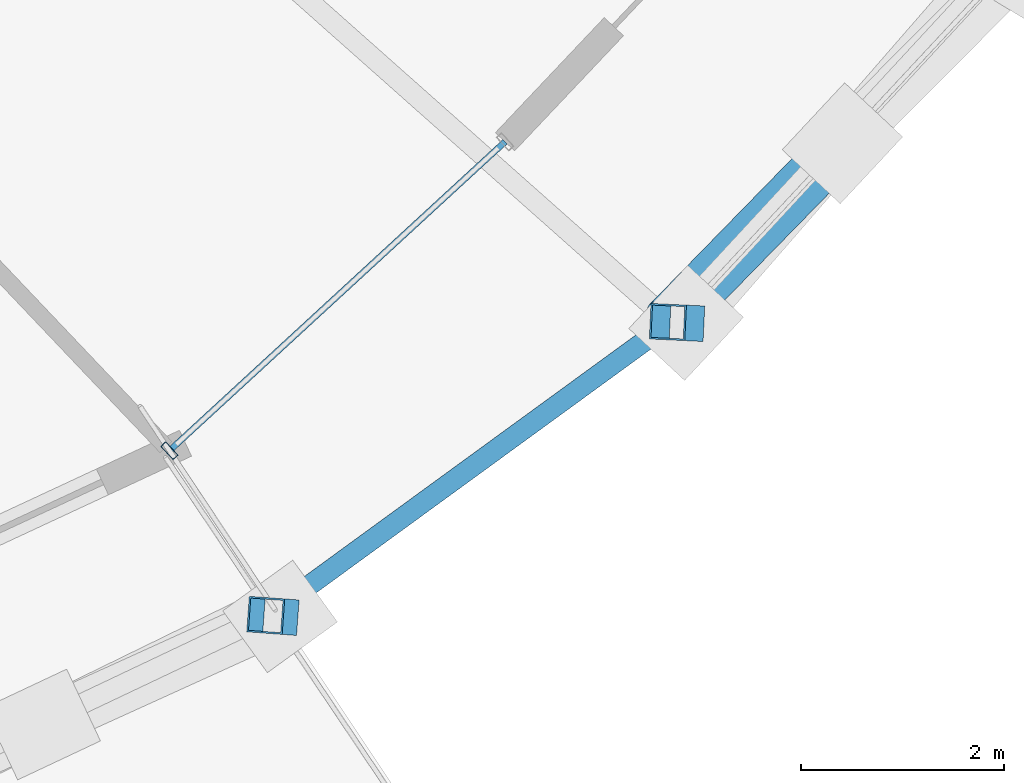
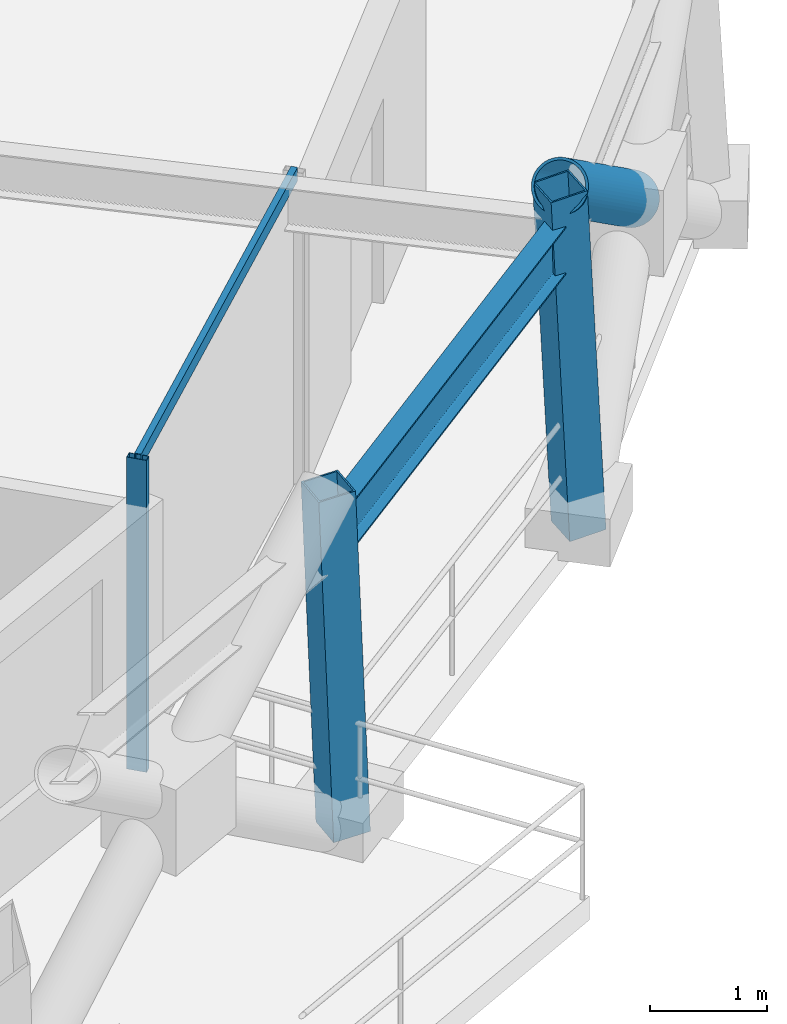
# One storey, part 2 of 14: 5 members, 1 beam, 1 element without a shape of its own.
"""IFC4 building model written with IfcOpenShell, lengths in metres."""

from ifc_helpers import new_model, si_unit, direction, frame, origin, origin_2d, place, context, subcontext, project, spatial, hollow_rectangle, hollow_circle, i_section, extrude, material, layer, layer_set, material_profile, profile_set, type_object, element, aggregate, save


model = new_model("IFC4")

# Units and contexts
model_context = context("Model", 3, precision=1e-05, world=origin(), true_north=direction((0.0, 1.0)))
body_context = subcontext(model_context, "Body", "Model", "MODEL_VIEW")
ifc_project = project(units=[si_unit("LENGTHUNIT", "METRE"), si_unit("AREAUNIT", "SQUARE_METRE"), si_unit("VOLUMEUNIT", "CUBIC_METRE"), si_unit("PLANEANGLEUNIT", "RADIAN"), si_unit("MASSUNIT", "GRAM", prefix="KILO")], contexts=[model_context])

# Site, building, storey
site_placement = place(None, origin())
site = spatial("IfcSite", under=ifc_project, at=site_placement, CompositionType="ELEMENT")
building_placement = place(site_placement, origin())
building = spatial("IfcBuilding", under=site, at=building_placement, Name="Veldorina Hangang Commons", CompositionType="ELEMENT")
storey_placement = place(building_placement, frame((0.0, 0.0, 200.0)))
storey = spatial("IfcBuildingStorey", under=building, at=storey_placement, Name="L52", CompositionType="ELEMENT", Elevation=200.0)

# Beam
ifc_material_1 = material(Name="Steel SM420-TMC", Category="steel")
ifc_material_profile_1 = material_profile(ifc_material_1, i_section(OverallWidth=0.199951171875, OverallDepth=0.5, WebThickness=0.010009765625, FlangeThickness=0.01611328125, FilletRadius=0.01611328125, at=origin_2d()), Name="H-500x200x10x16")
ifc_profile_set_1 = profile_set([ifc_material_profile_1], Name="Steel SM420-TMC")
beam_type = type_object("IfcBeamType", Name="BM-RB500", PredefinedType="BEAM", material=ifc_profile_set_1)
beam_placement = place(storey_placement, frame((46.525390625, 4.705810546875, 3.050048828125), z_axis=(0.808289999855, 0.58878457532, 0.0), x_axis=(-0.58878457532, 0.808289999855, 0.0)))
element("IfcBeam", 1, at=beam_placement, inside=storey, type_object=beam_type, Name="L52 perimeter hoop ring beam 27", PredefinedType="BEAM", context=body_context, shape_type="SweptSolid", body=[
    extrude(i_section(OverallWidth=0.199951171875, OverallDepth=0.5, WebThickness=0.010009765625, FlangeThickness=0.01611328125, FilletRadius=0.01611328125, at=origin_2d()), origin(), (0.0, 0.0, 1.0), 4.901611328125),
])

# Curtain wall, members
ifc_material_2 = material(Name="Glass Low-E Triple IGU", Category="glass")
ifc_layer = layer(ifc_material_2, 0.179931640625)
ifc_layer_set = layer_set([ifc_layer], Name="Glass Low-E Triple IGU")
curtain_wall_type = type_object("IfcCurtainWallType", Name="CW-SYS-Z2", PredefinedType="NOTDEFINED", material=ifc_layer_set)
curtain_wall_placement = place(storey_placement, origin())
curtain_wall = element("IfcCurtainWall", 2, at=curtain_wall_placement, inside=storey, type_object=curtain_wall_type, Name="L52 unitised curtain wall CW-L52-R1", PredefinedType="NOTDEFINED")
ifc_material_3 = material(Name="Aluminium Anodized AA6063-T6", Category="aluminium")
ifc_material_profile_2 = material_profile(ifc_material_3, hollow_rectangle(XDim=0.070068359375, YDim=0.179931640625, WallThickness=0.00390625, at=origin_2d()), Name="ALU-RHS-180x70x4")
ifc_profile_set_2 = profile_set([ifc_material_profile_2], Name="Aluminium Anodized AA6063-T6")
member_type_1 = type_object("IfcMemberType", Name="CW-MUL-180", PredefinedType="MULLION", material=ifc_profile_set_2)
member_1_placement = place(storey_placement, frame((45.55615234375, 6.326904296875, 0.0), z_axis=(0.0, 0.0, 1.0), x_axis=(0.735718933477, 0.677286978262, 0.0)))
member_1 = element("IfcMember", 3, at=member_1_placement, type_object=member_type_1, Name="CW-L52-R1 vertical mullion 1", PredefinedType="MULLION", context=body_context, shape_type="SweptSolid", body=[
    extrude(hollow_rectangle(XDim=0.070068359375, YDim=0.179931640625, WallThickness=0.00390625, at=origin_2d()), origin(), (0.0, 0.0, 1.0), 3.260009765625),
])
ifc_material_profile_3 = material_profile(ifc_material_3, hollow_rectangle(XDim=0.06005859375, YDim=0.139892578125, WallThickness=0.00341796875, at=origin_2d()), Name="ALU-RHS-140x60x3.5")
ifc_profile_set_3 = profile_set([ifc_material_profile_3], Name="Aluminium Anodized AA6063-T6")
member_type_2 = type_object("IfcMemberType", Name="CW-TRN-140", PredefinedType="USERDEFINED", material=ifc_profile_set_3)
member_2_placement = place(storey_placement, frame((45.55615234375, 6.326904296875, 3.219970703125), z_axis=(0.735743402302, 0.677260397461, 0.0), x_axis=(-0.677260397461, 0.735743402302, 0.0)))
member_2 = element("IfcMember", 4, at=member_2_placement, type_object=member_type_2, Name="CW-L52-R1 facet 1 transom 1", ObjectType="TRANSOM", PredefinedType="USERDEFINED", context=body_context, shape_type="SweptSolid", body=[
    extrude(hollow_rectangle(XDim=0.06005859375, YDim=0.139892578125, WallThickness=0.00341796875, at=origin_2d()), origin(), (0.0, 0.0, 1.0), 4.487548828125),
])
aggregate(curtain_wall, [member_1, member_2])

# Members
ifc_material_profile_4 = material_profile(ifc_material_1, hollow_circle(Radius=0.25, WallThickness=0.02490234375, at=origin_2d()), Name="CHS-500x25")
ifc_profile_set_4 = profile_set([ifc_material_profile_4], Name="Steel SM420-TMC")
member_type_3 = type_object("IfcMemberType", Name="DG-CHS500", PredefinedType="BRACE", material=ifc_profile_set_4)
member_3_placement = place(storey_placement, frame((52.1767578125, 9.35107421875, 1.80419921875), z_axis=(-0.564125423204, -0.577600906084, 0.590033643266), x_axis=(0.715402741067, -0.698712328555, 0.0)))
element("IfcMember", 5, at=member_3_placement, inside=storey, type_object=member_type_3, Name="L52 split perimeter diagrid upper brace 29", PredefinedType="BRACE", context=body_context, shape_type="SweptSolid", body=[
    extrude(hollow_circle(Radius=0.25, WallThickness=0.02490234375, at=origin_2d()), origin(), (0.0, 0.0, 1.0), 3.043701171875),
])
ifc_material_4 = material(Name="Steel SM355-TMC", Category="steel")
ifc_material_profile_5 = material_profile(ifc_material_4, hollow_rectangle(XDim=0.35009765625, YDim=0.35009765625, WallThickness=0.01611328125, at=origin_2d()), Name="SHS-350x350x16")
ifc_profile_set_5 = profile_set([ifc_material_profile_5], Name="Steel SM355-TMC")
member_type_4 = type_object("IfcMemberType", Name="STR-SHS350", PredefinedType="STRUT", material=ifc_profile_set_5)
member_4_placement = place(storey_placement, frame((46.64501953125, 4.697265625, 0.0), z_axis=(-0.039166835029, 0.002846032995, 0.999228632061), x_axis=(-0.072473278351, -0.997370354445, 0.0)))
element("IfcMember", 6, at=member_4_placement, inside=storey, type_object=member_type_4, Name="L52 perimeter ring node post 27", PredefinedType="STRUT", context=body_context, shape_type="SweptSolid", body=[
    extrude(hollow_rectangle(XDim=0.35009765625, YDim=0.35009765625, WallThickness=0.01611328125, at=origin_2d()), origin(), (0.0, 0.0, 1.0), 3.602783203125),
])
member_5_placement = place(storey_placement, frame((50.6396484375, 7.58447265625, 0.0), z_axis=(-0.04991720821, 0.002370559413, 0.998750545818), x_axis=(-0.047436362516, -0.998874262113, 0.0)))
element("IfcMember", 7, at=member_5_placement, inside=storey, type_object=member_type_4, Name="L52 perimeter ring node post 28", PredefinedType="STRUT", context=body_context, shape_type="SweptSolid", body=[
    extrude(hollow_rectangle(XDim=0.35009765625, YDim=0.35009765625, WallThickness=0.01611328125, at=origin_2d()), origin(), (0.0, 0.0, 1.0), 3.6044921875),
])

save(model, "model.ifc")
